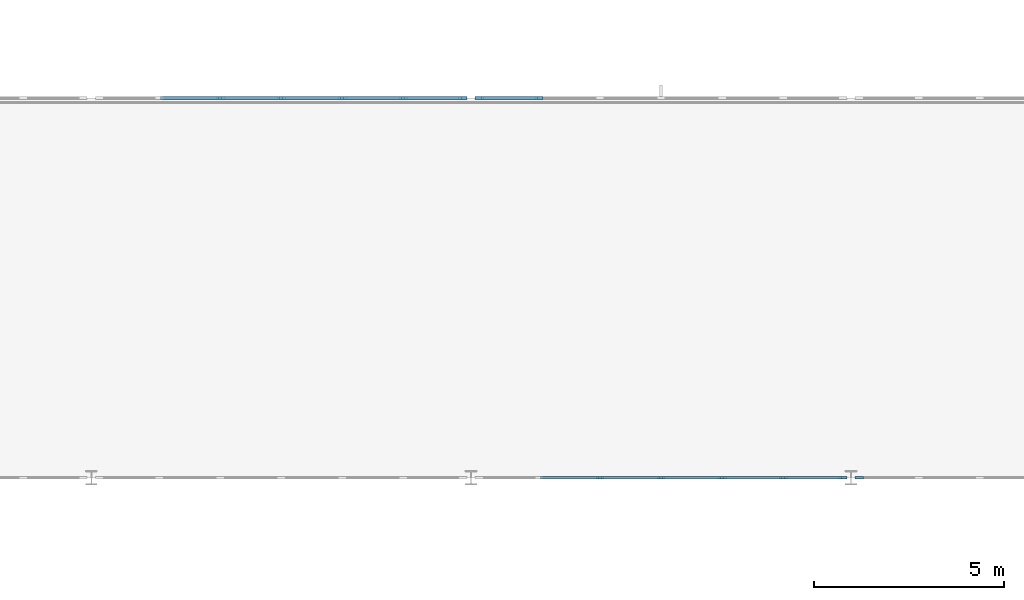
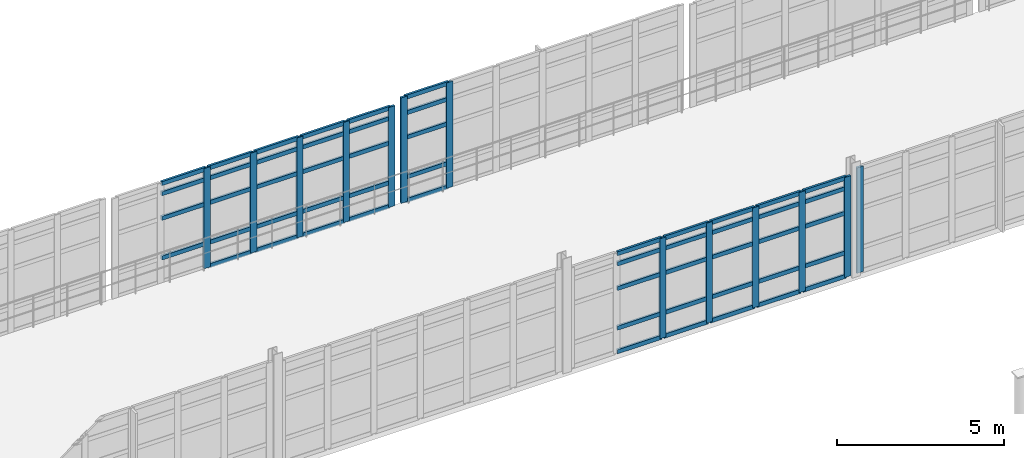
# One storey, part 44 of 122: 67 members, 4 elements without a shape of their own.
"""IFC4 building model written with IfcOpenShell, lengths in metres."""

from ifc_helpers import new_model, si_unit, direction, frame, origin, origin_2d, place, context, subcontext, project, spatial, rectangle, extrude, material, layer, layer_set, material_profile, profile_set, type_object, element, aggregate, save


model = new_model("IFC4")

# Units and contexts
model_context = context("Model", 3, precision=1e-05, world=origin(), true_north=direction((0.0, 1.0)))
body_context = subcontext(model_context, "Body", "Model", "MODEL_VIEW")
ifc_project = project(units=[si_unit("LENGTHUNIT", "METRE"), si_unit("AREAUNIT", "SQUARE_METRE"), si_unit("VOLUMEUNIT", "CUBIC_METRE"), si_unit("PLANEANGLEUNIT", "RADIAN"), si_unit("MASSUNIT", "GRAM", prefix="KILO"), si_unit("THERMODYNAMICTEMPERATUREUNIT", "KELVIN"), si_unit("POWERUNIT", "WATT")], contexts=[model_context])

# Site, building, storey
site_placement = place(None, origin())
site = spatial("IfcSite", under=ifc_project, at=site_placement, CompositionType="ELEMENT")
building_placement = place(site_placement, origin())
building = spatial("IfcBuilding", under=site, at=building_placement, Name="Korenveer Ferry Terminal", CompositionType="ELEMENT")
storey_placement = place(building_placement, frame((0.0, 0.0, 10.199951171875)))
storey = spatial("IfcBuildingStorey", under=building, at=storey_placement, Name="L02", CompositionType="ELEMENT", Elevation=10.199951171875)

# Curtain wall, members
ifc_material_1 = material(Name="Unitised bronze-and-glass curtain wall", Category="glass")
ifc_layer_1 = layer(ifc_material_1, 0.219970703125)
ifc_layer_set_1 = layer_set([ifc_layer_1], Name="Unitised bronze-and-glass curtain wall")
curtain_wall_type_1 = type_object("IfcCurtainWallType", Name="ENV-CW-91", PredefinedType="USERDEFINED", material=ifc_layer_set_1)
curtain_wall_1_placement = place(storey_placement, frame((93.179931640625, 50.0, 0.0)))
curtain_wall_1 = element("IfcCurtainWall", 1, at=curtain_wall_1_placement, inside=storey, type_object=curtain_wall_type_1, Name="Lancet curtain wall CWX-L02-X93-103-Y50-50", ObjectType="UNITISED CURTAIN WALL", PredefinedType="USERDEFINED")
ifc_material_2 = material(Name="Anodised bronze aluminium", Category="aluminium")
ifc_material_profile_1 = material_profile(ifc_material_2, rectangle(XDim=0.074951171875, YDim=0.219970703125, at=origin_2d()), Name="ALU 75x220")
ifc_profile_set_1 = profile_set([ifc_material_profile_1], Name="Anodised bronze aluminium")
member_type_1 = type_object("IfcMemberType", Name="ENV-CWM-75X220", PredefinedType="MULLION", material=ifc_profile_set_1)
member_1_placement = place(storey_placement, frame((96.393310546875, 50.0, 0.0), z_axis=(0.0, 0.0, 1.0), x_axis=(0.0, 1.0, 0.0)))
member_1 = element("IfcMember", 2, at=member_1_placement, type_object=member_type_1, Name="CW-91 mullion 3", PredefinedType="MULLION", context=body_context, shape_type="SweptSolid", body=[
    extrude(rectangle(XDim=0.074951171875, YDim=0.219970703125, at=origin_2d()), origin(), (0.0, 0.0, 1.0), 3.66015625),
])
member_2_placement = place(storey_placement, frame((98.0, 50.0, 0.0), z_axis=(0.0, 0.0, 1.0), x_axis=(0.0, 1.0, 0.0)))
member_2 = element("IfcMember", 3, at=member_2_placement, type_object=member_type_1, Name="CW-91 mullion 4", PredefinedType="MULLION", context=body_context, shape_type="SweptSolid", body=[
    extrude(rectangle(XDim=0.074951171875, YDim=0.219970703125, at=origin_2d()), origin(), (0.0, 0.0, 1.0), 3.66015625),
])
member_3_placement = place(storey_placement, frame((99.606689453125, 50.0, 0.0), z_axis=(0.0, 0.0, 1.0), x_axis=(0.0, 1.0, 0.0)))
member_3 = element("IfcMember", 4, at=member_3_placement, type_object=member_type_1, Name="CW-91 mullion 5", PredefinedType="MULLION", context=body_context, shape_type="SweptSolid", body=[
    extrude(rectangle(XDim=0.074951171875, YDim=0.219970703125, at=origin_2d()), origin(), (0.0, 0.0, 1.0), 3.66015625),
])
member_4_placement = place(storey_placement, frame((101.21337890625, 50.0, 0.0), z_axis=(0.0, 0.0, 1.0), x_axis=(0.0, 1.0, 0.0)))
member_4 = element("IfcMember", 5, at=member_4_placement, type_object=member_type_1, Name="CW-91 mullion 6", PredefinedType="MULLION", context=body_context, shape_type="SweptSolid", body=[
    extrude(rectangle(XDim=0.074951171875, YDim=0.219970703125, at=origin_2d()), origin(), (0.0, 0.0, 1.0), 3.66015625),
])
member_5_placement = place(storey_placement, frame((102.782470703125, 50.0, 0.0), z_axis=(0.0, 0.0, 1.0), x_axis=(0.0, 1.0, 0.0)))
member_5 = element("IfcMember", 6, at=member_5_placement, type_object=member_type_1, Name="CW-91 mullion 7", PredefinedType="MULLION", context=body_context, shape_type="SweptSolid", body=[
    extrude(rectangle(XDim=0.074951171875, YDim=0.219970703125, at=origin_2d()), origin(), (0.0, 0.0, 1.0), 3.66015625),
])

# Curtain wall, member
ifc_layer_2 = layer(ifc_material_1, 0.219970703125)
ifc_layer_set_2 = layer_set([ifc_layer_2], Name="Unitised bronze-and-glass curtain wall")
curtain_wall_type_2 = type_object("IfcCurtainWallType", Name="ENV-CW-92", PredefinedType="USERDEFINED", material=ifc_layer_set_2)
curtain_wall_2_placement = place(storey_placement, frame((103.179931640625, 50.0, 0.0)))
curtain_wall_2 = element("IfcCurtainWall", 7, at=curtain_wall_2_placement, inside=storey, type_object=curtain_wall_type_2, Name="Lancet curtain wall CWX-L02-X103-113-Y50-50", ObjectType="UNITISED CURTAIN WALL", PredefinedType="USERDEFINED")
member_6_placement = place(storey_placement, frame((103.217529296875, 50.0, 0.0), z_axis=(0.0, 0.0, 1.0), x_axis=(0.0, 1.0, 0.0)))
member_6 = element("IfcMember", 8, at=member_6_placement, type_object=member_type_1, Name="CW-92 mullion 1", PredefinedType="MULLION", context=body_context, shape_type="SweptSolid", body=[
    extrude(rectangle(XDim=0.074951171875, YDim=0.219970703125, at=origin_2d()), origin(), (0.0, 0.0, 1.0), 3.860107421875),
])
aggregate(curtain_wall_2, [member_6])

# Curtain wall, members
curtain_wall_3_placement = place(storey_placement, frame((83.179931640625, 60.0, 0.0)))
curtain_wall_3 = element("IfcCurtainWall", 9, at=curtain_wall_3_placement, inside=storey, type_object=curtain_wall_type_1, Name="Lancet curtain wall CWX-L02-X83-93-Y60-60", ObjectType="UNITISED CURTAIN WALL", PredefinedType="USERDEFINED")
member_7_placement = place(storey_placement, frame((86.393310546875, 60.0, 0.0), z_axis=(0.0, 0.0, 1.0), x_axis=(0.0, 1.0, 0.0)))
member_7 = element("IfcMember", 10, at=member_7_placement, type_object=member_type_1, Name="CW-91 mullion 3", PredefinedType="MULLION", context=body_context, shape_type="SweptSolid", body=[
    extrude(rectangle(XDim=0.074951171875, YDim=0.219970703125, at=origin_2d()), origin(), (0.0, 0.0, 1.0), 3.66015625),
])
member_8_placement = place(storey_placement, frame((88.0, 60.0, 0.0), z_axis=(0.0, 0.0, 1.0), x_axis=(0.0, 1.0, 0.0)))
member_8 = element("IfcMember", 11, at=member_8_placement, type_object=member_type_1, Name="CW-91 mullion 4", PredefinedType="MULLION", context=body_context, shape_type="SweptSolid", body=[
    extrude(rectangle(XDim=0.074951171875, YDim=0.219970703125, at=origin_2d()), origin(), (0.0, 0.0, 1.0), 3.66015625),
])
member_9_placement = place(storey_placement, frame((89.606689453125, 60.0, 0.0), z_axis=(0.0, 0.0, 1.0), x_axis=(0.0, 1.0, 0.0)))
member_9 = element("IfcMember", 12, at=member_9_placement, type_object=member_type_1, Name="CW-91 mullion 5", PredefinedType="MULLION", context=body_context, shape_type="SweptSolid", body=[
    extrude(rectangle(XDim=0.074951171875, YDim=0.219970703125, at=origin_2d()), origin(), (0.0, 0.0, 1.0), 3.66015625),
])
member_10_placement = place(storey_placement, frame((91.21337890625, 60.0, 0.0), z_axis=(0.0, 0.0, 1.0), x_axis=(0.0, 1.0, 0.0)))
member_10 = element("IfcMember", 13, at=member_10_placement, type_object=member_type_1, Name="CW-91 mullion 6", PredefinedType="MULLION", context=body_context, shape_type="SweptSolid", body=[
    extrude(rectangle(XDim=0.074951171875, YDim=0.219970703125, at=origin_2d()), origin(), (0.0, 0.0, 1.0), 3.66015625),
])
member_11_placement = place(storey_placement, frame((92.782470703125, 60.0, 0.0), z_axis=(0.0, 0.0, 1.0), x_axis=(0.0, 1.0, 0.0)))
member_11 = element("IfcMember", 14, at=member_11_placement, type_object=member_type_1, Name="CW-91 mullion 7", PredefinedType="MULLION", context=body_context, shape_type="SweptSolid", body=[
    extrude(rectangle(XDim=0.074951171875, YDim=0.219970703125, at=origin_2d()), origin(), (0.0, 0.0, 1.0), 3.66015625),
])

curtain_wall_4_placement = place(storey_placement, frame((93.179931640625, 60.0, 0.0)))
curtain_wall_4 = element("IfcCurtainWall", 15, at=curtain_wall_4_placement, inside=storey, type_object=curtain_wall_type_2, Name="Lancet curtain wall CWX-L02-X93-103-Y60-60", ObjectType="UNITISED CURTAIN WALL", PredefinedType="USERDEFINED")
member_12_placement = place(storey_placement, frame((93.217529296875, 60.0, 0.0), z_axis=(0.0, 0.0, 1.0), x_axis=(0.0, 1.0, 0.0)))
member_12 = element("IfcMember", 16, at=member_12_placement, type_object=member_type_1, Name="CW-92 mullion 1", PredefinedType="MULLION", context=body_context, shape_type="SweptSolid", body=[
    extrude(rectangle(XDim=0.074951171875, YDim=0.219970703125, at=origin_2d()), origin(), (0.0, 0.0, 1.0), 3.860107421875),
])
member_13_placement = place(storey_placement, frame((94.78662109375, 60.0, 0.0), z_axis=(0.0, 0.0, 1.0), x_axis=(0.0, 1.0, 0.0)))
member_13 = element("IfcMember", 17, at=member_13_placement, type_object=member_type_1, Name="CW-92 mullion 2", PredefinedType="MULLION", context=body_context, shape_type="SweptSolid", body=[
    extrude(rectangle(XDim=0.074951171875, YDim=0.219970703125, at=origin_2d()), origin(), (0.0, 0.0, 1.0), 3.860107421875),
])

# Member
ifc_material_profile_2 = material_profile(ifc_material_2, rectangle(XDim=0.074951171875, YDim=0.14990234375, at=origin_2d()), Name="ALU 75x150")
ifc_profile_set_2 = profile_set([ifc_material_profile_2], Name="Anodised bronze aluminium")
member_type_2 = type_object("IfcMemberType", Name="ENV-CWT-75X150", PredefinedType="USERDEFINED", material=ifc_profile_set_2)
member_14_placement = place(storey_placement, frame((94.82421875, 50.0, 0.03759765625), z_axis=(1.0, 0.0, 0.0), x_axis=(0.0, 1.0, 0.0)))
member_14 = element("IfcMember", 18, at=member_14_placement, type_object=member_type_2, Name="CW-91 transom 2.1", ObjectType="TRANSOM", PredefinedType="USERDEFINED", context=body_context, shape_type="SweptSolid", body=[
    extrude(rectangle(XDim=0.074951171875, YDim=0.14990234375, at=origin_2d()), origin(), (0.0, 0.0, 1.0), 1.531494140625),
])

member_15_placement = place(storey_placement, frame((94.82421875, 50.0, 0.900146484375), z_axis=(1.0, 0.0, 0.0), x_axis=(0.0, 1.0, 0.0)))
member_15 = element("IfcMember", 19, at=member_15_placement, type_object=member_type_2, Name="CW-91 transom 2.2", ObjectType="TRANSOM", PredefinedType="USERDEFINED", context=body_context, shape_type="SweptSolid", body=[
    extrude(rectangle(XDim=0.074951171875, YDim=0.14990234375, at=origin_2d()), origin(), (0.0, 0.0, 1.0), 1.531494140625),
])

member_16_placement = place(storey_placement, frame((94.82421875, 50.0, 2.35009765625), z_axis=(1.0, 0.0, 0.0), x_axis=(0.0, 1.0, 0.0)))
member_16 = element("IfcMember", 20, at=member_16_placement, type_object=member_type_2, Name="CW-91 transom 2.3", ObjectType="TRANSOM", PredefinedType="USERDEFINED", context=body_context, shape_type="SweptSolid", body=[
    extrude(rectangle(XDim=0.074951171875, YDim=0.14990234375, at=origin_2d()), origin(), (0.0, 0.0, 1.0), 1.531494140625),
])

member_17_placement = place(storey_placement, frame((94.82421875, 50.0, 3.25), z_axis=(1.0, 0.0, 0.0), x_axis=(0.0, 1.0, 0.0)))
member_17 = element("IfcMember", 21, at=member_17_placement, type_object=member_type_2, Name="CW-91 transom 2.4", ObjectType="TRANSOM", PredefinedType="USERDEFINED", context=body_context, shape_type="SweptSolid", body=[
    extrude(rectangle(XDim=0.074951171875, YDim=0.14990234375, at=origin_2d()), origin(), (0.0, 0.0, 1.0), 1.531494140625),
])

member_18_placement = place(storey_placement, frame((94.82421875, 50.0, 3.62255859375), z_axis=(1.0, 0.0, 0.0), x_axis=(0.0, 1.0, 0.0)))
member_18 = element("IfcMember", 22, at=member_18_placement, type_object=member_type_2, Name="CW-91 transom 2.5", ObjectType="TRANSOM", PredefinedType="USERDEFINED", context=body_context, shape_type="SweptSolid", body=[
    extrude(rectangle(XDim=0.074951171875, YDim=0.14990234375, at=origin_2d()), origin(), (0.0, 0.0, 1.0), 1.531494140625),
])

member_19_placement = place(storey_placement, frame((96.430908203125, 50.0, 0.03759765625), z_axis=(1.0, 0.0, 0.0), x_axis=(0.0, 1.0, 0.0)))
member_19 = element("IfcMember", 23, at=member_19_placement, type_object=member_type_2, Name="CW-91 transom 3.1", ObjectType="TRANSOM", PredefinedType="USERDEFINED", context=body_context, shape_type="SweptSolid", body=[
    extrude(rectangle(XDim=0.074951171875, YDim=0.14990234375, at=origin_2d()), origin(), (0.0, 0.0, 1.0), 1.531494140625),
])

member_20_placement = place(storey_placement, frame((96.430908203125, 50.0, 0.900146484375), z_axis=(1.0, 0.0, 0.0), x_axis=(0.0, 1.0, 0.0)))
member_20 = element("IfcMember", 24, at=member_20_placement, type_object=member_type_2, Name="CW-91 transom 3.2", ObjectType="TRANSOM", PredefinedType="USERDEFINED", context=body_context, shape_type="SweptSolid", body=[
    extrude(rectangle(XDim=0.074951171875, YDim=0.14990234375, at=origin_2d()), origin(), (0.0, 0.0, 1.0), 1.531494140625),
])

member_21_placement = place(storey_placement, frame((96.430908203125, 50.0, 2.35009765625), z_axis=(1.0, 0.0, 0.0), x_axis=(0.0, 1.0, 0.0)))
member_21 = element("IfcMember", 25, at=member_21_placement, type_object=member_type_2, Name="CW-91 transom 3.3", ObjectType="TRANSOM", PredefinedType="USERDEFINED", context=body_context, shape_type="SweptSolid", body=[
    extrude(rectangle(XDim=0.074951171875, YDim=0.14990234375, at=origin_2d()), origin(), (0.0, 0.0, 1.0), 1.531494140625),
])

member_22_placement = place(storey_placement, frame((96.430908203125, 50.0, 3.25), z_axis=(1.0, 0.0, 0.0), x_axis=(0.0, 1.0, 0.0)))
member_22 = element("IfcMember", 26, at=member_22_placement, type_object=member_type_2, Name="CW-91 transom 3.4", ObjectType="TRANSOM", PredefinedType="USERDEFINED", context=body_context, shape_type="SweptSolid", body=[
    extrude(rectangle(XDim=0.074951171875, YDim=0.14990234375, at=origin_2d()), origin(), (0.0, 0.0, 1.0), 1.531494140625),
])

member_23_placement = place(storey_placement, frame((96.430908203125, 50.0, 3.62255859375), z_axis=(1.0, 0.0, 0.0), x_axis=(0.0, 1.0, 0.0)))
member_23 = element("IfcMember", 27, at=member_23_placement, type_object=member_type_2, Name="CW-91 transom 3.5", ObjectType="TRANSOM", PredefinedType="USERDEFINED", context=body_context, shape_type="SweptSolid", body=[
    extrude(rectangle(XDim=0.074951171875, YDim=0.14990234375, at=origin_2d()), origin(), (0.0, 0.0, 1.0), 1.531494140625),
])

member_24_placement = place(storey_placement, frame((98.03759765625, 50.0, 0.03759765625), z_axis=(1.0, 0.0, 0.0), x_axis=(0.0, 1.0, 0.0)))
member_24 = element("IfcMember", 28, at=member_24_placement, type_object=member_type_2, Name="CW-91 transom 4.1", ObjectType="TRANSOM", PredefinedType="USERDEFINED", context=body_context, shape_type="SweptSolid", body=[
    extrude(rectangle(XDim=0.074951171875, YDim=0.14990234375, at=origin_2d()), origin(), (0.0, 0.0, 1.0), 1.531494140625),
])

member_25_placement = place(storey_placement, frame((98.03759765625, 50.0, 0.900146484375), z_axis=(1.0, 0.0, 0.0), x_axis=(0.0, 1.0, 0.0)))
member_25 = element("IfcMember", 29, at=member_25_placement, type_object=member_type_2, Name="CW-91 transom 4.2", ObjectType="TRANSOM", PredefinedType="USERDEFINED", context=body_context, shape_type="SweptSolid", body=[
    extrude(rectangle(XDim=0.074951171875, YDim=0.14990234375, at=origin_2d()), origin(), (0.0, 0.0, 1.0), 1.531494140625),
])

member_26_placement = place(storey_placement, frame((98.03759765625, 50.0, 2.35009765625), z_axis=(1.0, 0.0, 0.0), x_axis=(0.0, 1.0, 0.0)))
member_26 = element("IfcMember", 30, at=member_26_placement, type_object=member_type_2, Name="CW-91 transom 4.3", ObjectType="TRANSOM", PredefinedType="USERDEFINED", context=body_context, shape_type="SweptSolid", body=[
    extrude(rectangle(XDim=0.074951171875, YDim=0.14990234375, at=origin_2d()), origin(), (0.0, 0.0, 1.0), 1.531494140625),
])

member_27_placement = place(storey_placement, frame((98.03759765625, 50.0, 3.25), z_axis=(1.0, 0.0, 0.0), x_axis=(0.0, 1.0, 0.0)))
member_27 = element("IfcMember", 31, at=member_27_placement, type_object=member_type_2, Name="CW-91 transom 4.4", ObjectType="TRANSOM", PredefinedType="USERDEFINED", context=body_context, shape_type="SweptSolid", body=[
    extrude(rectangle(XDim=0.074951171875, YDim=0.14990234375, at=origin_2d()), origin(), (0.0, 0.0, 1.0), 1.531494140625),
])

member_28_placement = place(storey_placement, frame((98.03759765625, 50.0, 3.62255859375), z_axis=(1.0, 0.0, 0.0), x_axis=(0.0, 1.0, 0.0)))
member_28 = element("IfcMember", 32, at=member_28_placement, type_object=member_type_2, Name="CW-91 transom 4.5", ObjectType="TRANSOM", PredefinedType="USERDEFINED", context=body_context, shape_type="SweptSolid", body=[
    extrude(rectangle(XDim=0.074951171875, YDim=0.14990234375, at=origin_2d()), origin(), (0.0, 0.0, 1.0), 1.531494140625),
])

member_29_placement = place(storey_placement, frame((99.644287109375, 50.0, 0.03759765625), z_axis=(1.0, 0.0, 0.0), x_axis=(0.0, 1.0, 0.0)))
member_29 = element("IfcMember", 33, at=member_29_placement, type_object=member_type_2, Name="CW-91 transom 5.1", ObjectType="TRANSOM", PredefinedType="USERDEFINED", context=body_context, shape_type="SweptSolid", body=[
    extrude(rectangle(XDim=0.074951171875, YDim=0.14990234375, at=origin_2d()), origin(), (0.0, 0.0, 1.0), 1.531494140625),
])

member_30_placement = place(storey_placement, frame((99.644287109375, 50.0, 0.900146484375), z_axis=(1.0, 0.0, 0.0), x_axis=(0.0, 1.0, 0.0)))
member_30 = element("IfcMember", 34, at=member_30_placement, type_object=member_type_2, Name="CW-91 transom 5.2", ObjectType="TRANSOM", PredefinedType="USERDEFINED", context=body_context, shape_type="SweptSolid", body=[
    extrude(rectangle(XDim=0.074951171875, YDim=0.14990234375, at=origin_2d()), origin(), (0.0, 0.0, 1.0), 1.531494140625),
])

member_31_placement = place(storey_placement, frame((99.644287109375, 50.0, 2.35009765625), z_axis=(1.0, 0.0, 0.0), x_axis=(0.0, 1.0, 0.0)))
member_31 = element("IfcMember", 35, at=member_31_placement, type_object=member_type_2, Name="CW-91 transom 5.3", ObjectType="TRANSOM", PredefinedType="USERDEFINED", context=body_context, shape_type="SweptSolid", body=[
    extrude(rectangle(XDim=0.074951171875, YDim=0.14990234375, at=origin_2d()), origin(), (0.0, 0.0, 1.0), 1.531494140625),
])

member_32_placement = place(storey_placement, frame((99.644287109375, 50.0, 3.25), z_axis=(1.0, 0.0, 0.0), x_axis=(0.0, 1.0, 0.0)))
member_32 = element("IfcMember", 36, at=member_32_placement, type_object=member_type_2, Name="CW-91 transom 5.4", ObjectType="TRANSOM", PredefinedType="USERDEFINED", context=body_context, shape_type="SweptSolid", body=[
    extrude(rectangle(XDim=0.074951171875, YDim=0.14990234375, at=origin_2d()), origin(), (0.0, 0.0, 1.0), 1.531494140625),
])

member_33_placement = place(storey_placement, frame((99.644287109375, 50.0, 3.62255859375), z_axis=(1.0, 0.0, 0.0), x_axis=(0.0, 1.0, 0.0)))
member_33 = element("IfcMember", 37, at=member_33_placement, type_object=member_type_2, Name="CW-91 transom 5.5", ObjectType="TRANSOM", PredefinedType="USERDEFINED", context=body_context, shape_type="SweptSolid", body=[
    extrude(rectangle(XDim=0.074951171875, YDim=0.14990234375, at=origin_2d()), origin(), (0.0, 0.0, 1.0), 1.531494140625),
])

member_34_placement = place(storey_placement, frame((101.250732421875, 50.0, 0.03759765625), z_axis=(1.0, 0.0, 0.0), x_axis=(0.0, 1.0, 0.0)))
member_34 = element("IfcMember", 38, at=member_34_placement, type_object=member_type_2, Name="CW-91 transom 6.1", ObjectType="TRANSOM", PredefinedType="USERDEFINED", context=body_context, shape_type="SweptSolid", body=[
    extrude(rectangle(XDim=0.074951171875, YDim=0.14990234375, at=origin_2d()), origin(), (0.0, 0.0, 1.0), 1.494384765625),
])

member_35_placement = place(storey_placement, frame((101.250732421875, 50.0, 0.900146484375), z_axis=(1.0, 0.0, 0.0), x_axis=(0.0, 1.0, 0.0)))
member_35 = element("IfcMember", 39, at=member_35_placement, type_object=member_type_2, Name="CW-91 transom 6.2", ObjectType="TRANSOM", PredefinedType="USERDEFINED", context=body_context, shape_type="SweptSolid", body=[
    extrude(rectangle(XDim=0.074951171875, YDim=0.14990234375, at=origin_2d()), origin(), (0.0, 0.0, 1.0), 1.494384765625),
])

member_36_placement = place(storey_placement, frame((101.250732421875, 50.0, 2.35009765625), z_axis=(1.0, 0.0, 0.0), x_axis=(0.0, 1.0, 0.0)))
member_36 = element("IfcMember", 40, at=member_36_placement, type_object=member_type_2, Name="CW-91 transom 6.3", ObjectType="TRANSOM", PredefinedType="USERDEFINED", context=body_context, shape_type="SweptSolid", body=[
    extrude(rectangle(XDim=0.074951171875, YDim=0.14990234375, at=origin_2d()), origin(), (0.0, 0.0, 1.0), 1.494384765625),
])

member_37_placement = place(storey_placement, frame((101.250732421875, 50.0, 3.25), z_axis=(1.0, 0.0, 0.0), x_axis=(0.0, 1.0, 0.0)))
member_37 = element("IfcMember", 41, at=member_37_placement, type_object=member_type_2, Name="CW-91 transom 6.4", ObjectType="TRANSOM", PredefinedType="USERDEFINED", context=body_context, shape_type="SweptSolid", body=[
    extrude(rectangle(XDim=0.074951171875, YDim=0.14990234375, at=origin_2d()), origin(), (0.0, 0.0, 1.0), 1.494384765625),
])

member_38_placement = place(storey_placement, frame((101.250732421875, 50.0, 3.62255859375), z_axis=(1.0, 0.0, 0.0), x_axis=(0.0, 1.0, 0.0)))
member_38 = element("IfcMember", 42, at=member_38_placement, type_object=member_type_2, Name="CW-91 transom 6.5", ObjectType="TRANSOM", PredefinedType="USERDEFINED", context=body_context, shape_type="SweptSolid", body=[
    extrude(rectangle(XDim=0.074951171875, YDim=0.14990234375, at=origin_2d()), origin(), (0.0, 0.0, 1.0), 1.494384765625),
])

aggregate(curtain_wall_1, [member_1, member_2, member_3, member_4, member_5, member_14, member_15, member_16, member_17, member_18, member_19, member_20, member_21, member_22, member_23, member_24, member_25, member_26, member_27, member_28, member_29, member_30, member_31, member_32, member_33, member_34, member_35, member_36, member_37, member_38])

member_39_placement = place(storey_placement, frame((84.82421875, 60.0, 0.900146484375), z_axis=(1.0, 0.0, 0.0), x_axis=(0.0, 1.0, 0.0)))
member_39 = element("IfcMember", 43, at=member_39_placement, type_object=member_type_2, Name="CW-91 transom 2.2", ObjectType="TRANSOM", PredefinedType="USERDEFINED", context=body_context, shape_type="SweptSolid", body=[
    extrude(rectangle(XDim=0.074951171875, YDim=0.14990234375, at=origin_2d()), origin(), (0.0, 0.0, 1.0), 1.531494140625),
])

member_40_placement = place(storey_placement, frame((84.82421875, 60.0, 2.35009765625), z_axis=(1.0, 0.0, 0.0), x_axis=(0.0, 1.0, 0.0)))
member_40 = element("IfcMember", 44, at=member_40_placement, type_object=member_type_2, Name="CW-91 transom 2.3", ObjectType="TRANSOM", PredefinedType="USERDEFINED", context=body_context, shape_type="SweptSolid", body=[
    extrude(rectangle(XDim=0.074951171875, YDim=0.14990234375, at=origin_2d()), origin(), (0.0, 0.0, 1.0), 1.531494140625),
])

member_41_placement = place(storey_placement, frame((84.82421875, 60.0, 3.25), z_axis=(1.0, 0.0, 0.0), x_axis=(0.0, 1.0, 0.0)))
member_41 = element("IfcMember", 45, at=member_41_placement, type_object=member_type_2, Name="CW-91 transom 2.4", ObjectType="TRANSOM", PredefinedType="USERDEFINED", context=body_context, shape_type="SweptSolid", body=[
    extrude(rectangle(XDim=0.074951171875, YDim=0.14990234375, at=origin_2d()), origin(), (0.0, 0.0, 1.0), 1.531494140625),
])

member_42_placement = place(storey_placement, frame((84.82421875, 60.0, 3.62255859375), z_axis=(1.0, 0.0, 0.0), x_axis=(0.0, 1.0, 0.0)))
member_42 = element("IfcMember", 46, at=member_42_placement, type_object=member_type_2, Name="CW-91 transom 2.5", ObjectType="TRANSOM", PredefinedType="USERDEFINED", context=body_context, shape_type="SweptSolid", body=[
    extrude(rectangle(XDim=0.074951171875, YDim=0.14990234375, at=origin_2d()), origin(), (0.0, 0.0, 1.0), 1.531494140625),
])

member_43_placement = place(storey_placement, frame((86.430908203125, 60.0, 0.03759765625), z_axis=(1.0, 0.0, 0.0), x_axis=(0.0, 1.0, 0.0)))
member_43 = element("IfcMember", 47, at=member_43_placement, type_object=member_type_2, Name="CW-91 transom 3.1", ObjectType="TRANSOM", PredefinedType="USERDEFINED", context=body_context, shape_type="SweptSolid", body=[
    extrude(rectangle(XDim=0.074951171875, YDim=0.14990234375, at=origin_2d()), origin(), (0.0, 0.0, 1.0), 1.531494140625),
])

member_44_placement = place(storey_placement, frame((86.430908203125, 60.0, 0.900146484375), z_axis=(1.0, 0.0, 0.0), x_axis=(0.0, 1.0, 0.0)))
member_44 = element("IfcMember", 48, at=member_44_placement, type_object=member_type_2, Name="CW-91 transom 3.2", ObjectType="TRANSOM", PredefinedType="USERDEFINED", context=body_context, shape_type="SweptSolid", body=[
    extrude(rectangle(XDim=0.074951171875, YDim=0.14990234375, at=origin_2d()), origin(), (0.0, 0.0, 1.0), 1.531494140625),
])

member_45_placement = place(storey_placement, frame((86.430908203125, 60.0, 2.35009765625), z_axis=(1.0, 0.0, 0.0), x_axis=(0.0, 1.0, 0.0)))
member_45 = element("IfcMember", 49, at=member_45_placement, type_object=member_type_2, Name="CW-91 transom 3.3", ObjectType="TRANSOM", PredefinedType="USERDEFINED", context=body_context, shape_type="SweptSolid", body=[
    extrude(rectangle(XDim=0.074951171875, YDim=0.14990234375, at=origin_2d()), origin(), (0.0, 0.0, 1.0), 1.531494140625),
])

member_46_placement = place(storey_placement, frame((86.430908203125, 60.0, 3.25), z_axis=(1.0, 0.0, 0.0), x_axis=(0.0, 1.0, 0.0)))
member_46 = element("IfcMember", 50, at=member_46_placement, type_object=member_type_2, Name="CW-91 transom 3.4", ObjectType="TRANSOM", PredefinedType="USERDEFINED", context=body_context, shape_type="SweptSolid", body=[
    extrude(rectangle(XDim=0.074951171875, YDim=0.14990234375, at=origin_2d()), origin(), (0.0, 0.0, 1.0), 1.531494140625),
])

member_47_placement = place(storey_placement, frame((86.430908203125, 60.0, 3.62255859375), z_axis=(1.0, 0.0, 0.0), x_axis=(0.0, 1.0, 0.0)))
member_47 = element("IfcMember", 51, at=member_47_placement, type_object=member_type_2, Name="CW-91 transom 3.5", ObjectType="TRANSOM", PredefinedType="USERDEFINED", context=body_context, shape_type="SweptSolid", body=[
    extrude(rectangle(XDim=0.074951171875, YDim=0.14990234375, at=origin_2d()), origin(), (0.0, 0.0, 1.0), 1.531494140625),
])

member_48_placement = place(storey_placement, frame((88.03759765625, 60.0, 0.03759765625), z_axis=(1.0, 0.0, 0.0), x_axis=(0.0, 1.0, 0.0)))
member_48 = element("IfcMember", 52, at=member_48_placement, type_object=member_type_2, Name="CW-91 transom 4.1", ObjectType="TRANSOM", PredefinedType="USERDEFINED", context=body_context, shape_type="SweptSolid", body=[
    extrude(rectangle(XDim=0.074951171875, YDim=0.14990234375, at=origin_2d()), origin(), (0.0, 0.0, 1.0), 1.531494140625),
])

member_49_placement = place(storey_placement, frame((88.03759765625, 60.0, 0.900146484375), z_axis=(1.0, 0.0, 0.0), x_axis=(0.0, 1.0, 0.0)))
member_49 = element("IfcMember", 53, at=member_49_placement, type_object=member_type_2, Name="CW-91 transom 4.2", ObjectType="TRANSOM", PredefinedType="USERDEFINED", context=body_context, shape_type="SweptSolid", body=[
    extrude(rectangle(XDim=0.074951171875, YDim=0.14990234375, at=origin_2d()), origin(), (0.0, 0.0, 1.0), 1.531494140625),
])

member_50_placement = place(storey_placement, frame((88.03759765625, 60.0, 2.35009765625), z_axis=(1.0, 0.0, 0.0), x_axis=(0.0, 1.0, 0.0)))
member_50 = element("IfcMember", 54, at=member_50_placement, type_object=member_type_2, Name="CW-91 transom 4.3", ObjectType="TRANSOM", PredefinedType="USERDEFINED", context=body_context, shape_type="SweptSolid", body=[
    extrude(rectangle(XDim=0.074951171875, YDim=0.14990234375, at=origin_2d()), origin(), (0.0, 0.0, 1.0), 1.531494140625),
])

member_51_placement = place(storey_placement, frame((88.03759765625, 60.0, 3.25), z_axis=(1.0, 0.0, 0.0), x_axis=(0.0, 1.0, 0.0)))
member_51 = element("IfcMember", 55, at=member_51_placement, type_object=member_type_2, Name="CW-91 transom 4.4", ObjectType="TRANSOM", PredefinedType="USERDEFINED", context=body_context, shape_type="SweptSolid", body=[
    extrude(rectangle(XDim=0.074951171875, YDim=0.14990234375, at=origin_2d()), origin(), (0.0, 0.0, 1.0), 1.531494140625),
])

member_52_placement = place(storey_placement, frame((88.03759765625, 60.0, 3.62255859375), z_axis=(1.0, 0.0, 0.0), x_axis=(0.0, 1.0, 0.0)))
member_52 = element("IfcMember", 56, at=member_52_placement, type_object=member_type_2, Name="CW-91 transom 4.5", ObjectType="TRANSOM", PredefinedType="USERDEFINED", context=body_context, shape_type="SweptSolid", body=[
    extrude(rectangle(XDim=0.074951171875, YDim=0.14990234375, at=origin_2d()), origin(), (0.0, 0.0, 1.0), 1.531494140625),
])

member_53_placement = place(storey_placement, frame((89.644287109375, 60.0, 0.03759765625), z_axis=(1.0, 0.0, 0.0), x_axis=(0.0, 1.0, 0.0)))
member_53 = element("IfcMember", 57, at=member_53_placement, type_object=member_type_2, Name="CW-91 transom 5.1", ObjectType="TRANSOM", PredefinedType="USERDEFINED", context=body_context, shape_type="SweptSolid", body=[
    extrude(rectangle(XDim=0.074951171875, YDim=0.14990234375, at=origin_2d()), origin(), (0.0, 0.0, 1.0), 1.531494140625),
])

member_54_placement = place(storey_placement, frame((89.644287109375, 60.0, 0.900146484375), z_axis=(1.0, 0.0, 0.0), x_axis=(0.0, 1.0, 0.0)))
member_54 = element("IfcMember", 58, at=member_54_placement, type_object=member_type_2, Name="CW-91 transom 5.2", ObjectType="TRANSOM", PredefinedType="USERDEFINED", context=body_context, shape_type="SweptSolid", body=[
    extrude(rectangle(XDim=0.074951171875, YDim=0.14990234375, at=origin_2d()), origin(), (0.0, 0.0, 1.0), 1.531494140625),
])

member_55_placement = place(storey_placement, frame((89.644287109375, 60.0, 2.35009765625), z_axis=(1.0, 0.0, 0.0), x_axis=(0.0, 1.0, 0.0)))
member_55 = element("IfcMember", 59, at=member_55_placement, type_object=member_type_2, Name="CW-91 transom 5.3", ObjectType="TRANSOM", PredefinedType="USERDEFINED", context=body_context, shape_type="SweptSolid", body=[
    extrude(rectangle(XDim=0.074951171875, YDim=0.14990234375, at=origin_2d()), origin(), (0.0, 0.0, 1.0), 1.531494140625),
])

member_56_placement = place(storey_placement, frame((89.644287109375, 60.0, 3.25), z_axis=(1.0, 0.0, 0.0), x_axis=(0.0, 1.0, 0.0)))
member_56 = element("IfcMember", 60, at=member_56_placement, type_object=member_type_2, Name="CW-91 transom 5.4", ObjectType="TRANSOM", PredefinedType="USERDEFINED", context=body_context, shape_type="SweptSolid", body=[
    extrude(rectangle(XDim=0.074951171875, YDim=0.14990234375, at=origin_2d()), origin(), (0.0, 0.0, 1.0), 1.531494140625),
])

member_57_placement = place(storey_placement, frame((89.644287109375, 60.0, 3.62255859375), z_axis=(1.0, 0.0, 0.0), x_axis=(0.0, 1.0, 0.0)))
member_57 = element("IfcMember", 61, at=member_57_placement, type_object=member_type_2, Name="CW-91 transom 5.5", ObjectType="TRANSOM", PredefinedType="USERDEFINED", context=body_context, shape_type="SweptSolid", body=[
    extrude(rectangle(XDim=0.074951171875, YDim=0.14990234375, at=origin_2d()), origin(), (0.0, 0.0, 1.0), 1.531494140625),
])

member_58_placement = place(storey_placement, frame((91.250732421875, 60.0, 0.03759765625), z_axis=(1.0, 0.0, 0.0), x_axis=(0.0, 1.0, 0.0)))
member_58 = element("IfcMember", 62, at=member_58_placement, type_object=member_type_2, Name="CW-91 transom 6.1", ObjectType="TRANSOM", PredefinedType="USERDEFINED", context=body_context, shape_type="SweptSolid", body=[
    extrude(rectangle(XDim=0.074951171875, YDim=0.14990234375, at=origin_2d()), origin(), (0.0, 0.0, 1.0), 1.494384765625),
])

member_59_placement = place(storey_placement, frame((91.250732421875, 60.0, 0.900146484375), z_axis=(1.0, 0.0, 0.0), x_axis=(0.0, 1.0, 0.0)))
member_59 = element("IfcMember", 63, at=member_59_placement, type_object=member_type_2, Name="CW-91 transom 6.2", ObjectType="TRANSOM", PredefinedType="USERDEFINED", context=body_context, shape_type="SweptSolid", body=[
    extrude(rectangle(XDim=0.074951171875, YDim=0.14990234375, at=origin_2d()), origin(), (0.0, 0.0, 1.0), 1.494384765625),
])

member_60_placement = place(storey_placement, frame((91.250732421875, 60.0, 2.35009765625), z_axis=(1.0, 0.0, 0.0), x_axis=(0.0, 1.0, 0.0)))
member_60 = element("IfcMember", 64, at=member_60_placement, type_object=member_type_2, Name="CW-91 transom 6.3", ObjectType="TRANSOM", PredefinedType="USERDEFINED", context=body_context, shape_type="SweptSolid", body=[
    extrude(rectangle(XDim=0.074951171875, YDim=0.14990234375, at=origin_2d()), origin(), (0.0, 0.0, 1.0), 1.494384765625),
])

member_61_placement = place(storey_placement, frame((91.250732421875, 60.0, 3.25), z_axis=(1.0, 0.0, 0.0), x_axis=(0.0, 1.0, 0.0)))
member_61 = element("IfcMember", 65, at=member_61_placement, type_object=member_type_2, Name="CW-91 transom 6.4", ObjectType="TRANSOM", PredefinedType="USERDEFINED", context=body_context, shape_type="SweptSolid", body=[
    extrude(rectangle(XDim=0.074951171875, YDim=0.14990234375, at=origin_2d()), origin(), (0.0, 0.0, 1.0), 1.494384765625),
])

member_62_placement = place(storey_placement, frame((91.250732421875, 60.0, 3.62255859375), z_axis=(1.0, 0.0, 0.0), x_axis=(0.0, 1.0, 0.0)))
member_62 = element("IfcMember", 66, at=member_62_placement, type_object=member_type_2, Name="CW-91 transom 6.5", ObjectType="TRANSOM", PredefinedType="USERDEFINED", context=body_context, shape_type="SweptSolid", body=[
    extrude(rectangle(XDim=0.074951171875, YDim=0.14990234375, at=origin_2d()), origin(), (0.0, 0.0, 1.0), 1.494384765625),
])

aggregate(curtain_wall_3, [member_7, member_8, member_9, member_10, member_11, member_39, member_40, member_41, member_42, member_43, member_44, member_45, member_46, member_47, member_48, member_49, member_50, member_51, member_52, member_53, member_54, member_55, member_56, member_57, member_58, member_59, member_60, member_61, member_62])

member_63_placement = place(storey_placement, frame((93.2548828125, 60.0, 0.03759765625), z_axis=(1.0, 0.0, 0.0), x_axis=(0.0, 1.0, 0.0)))
member_63 = element("IfcMember", 67, at=member_63_placement, type_object=member_type_2, Name="CW-92 transom 1.1", ObjectType="TRANSOM", PredefinedType="USERDEFINED", context=body_context, shape_type="SweptSolid", body=[
    extrude(rectangle(XDim=0.074951171875, YDim=0.14990234375, at=origin_2d()), origin(), (0.0, 0.0, 1.0), 1.494384765625),
])

member_64_placement = place(storey_placement, frame((93.2548828125, 60.0, 0.900146484375), z_axis=(1.0, 0.0, 0.0), x_axis=(0.0, 1.0, 0.0)))
member_64 = element("IfcMember", 68, at=member_64_placement, type_object=member_type_2, Name="CW-92 transom 1.2", ObjectType="TRANSOM", PredefinedType="USERDEFINED", context=body_context, shape_type="SweptSolid", body=[
    extrude(rectangle(XDim=0.074951171875, YDim=0.14990234375, at=origin_2d()), origin(), (0.0, 0.0, 1.0), 1.494384765625),
])

member_65_placement = place(storey_placement, frame((93.2548828125, 60.0, 2.35009765625), z_axis=(1.0, 0.0, 0.0), x_axis=(0.0, 1.0, 0.0)))
member_65 = element("IfcMember", 69, at=member_65_placement, type_object=member_type_2, Name="CW-92 transom 1.3", ObjectType="TRANSOM", PredefinedType="USERDEFINED", context=body_context, shape_type="SweptSolid", body=[
    extrude(rectangle(XDim=0.074951171875, YDim=0.14990234375, at=origin_2d()), origin(), (0.0, 0.0, 1.0), 1.494384765625),
])

member_66_placement = place(storey_placement, frame((93.2548828125, 60.0, 3.25), z_axis=(1.0, 0.0, 0.0), x_axis=(0.0, 1.0, 0.0)))
member_66 = element("IfcMember", 70, at=member_66_placement, type_object=member_type_2, Name="CW-92 transom 1.4", ObjectType="TRANSOM", PredefinedType="USERDEFINED", context=body_context, shape_type="SweptSolid", body=[
    extrude(rectangle(XDim=0.074951171875, YDim=0.14990234375, at=origin_2d()), origin(), (0.0, 0.0, 1.0), 1.494384765625),
])

member_67_placement = place(storey_placement, frame((93.2548828125, 60.0, 3.822509765625), z_axis=(1.0, 0.0, 0.0), x_axis=(0.0, 1.0, 0.0)))
member_67 = element("IfcMember", 71, at=member_67_placement, type_object=member_type_2, Name="CW-92 transom 1.5", ObjectType="TRANSOM", PredefinedType="USERDEFINED", context=body_context, shape_type="SweptSolid", body=[
    extrude(rectangle(XDim=0.074951171875, YDim=0.14990234375, at=origin_2d()), origin(), (0.0, 0.0, 1.0), 1.494384765625),
])

aggregate(curtain_wall_4, [member_12, member_13, member_63, member_64, member_65, member_66, member_67])

save(model, "model.ifc")
